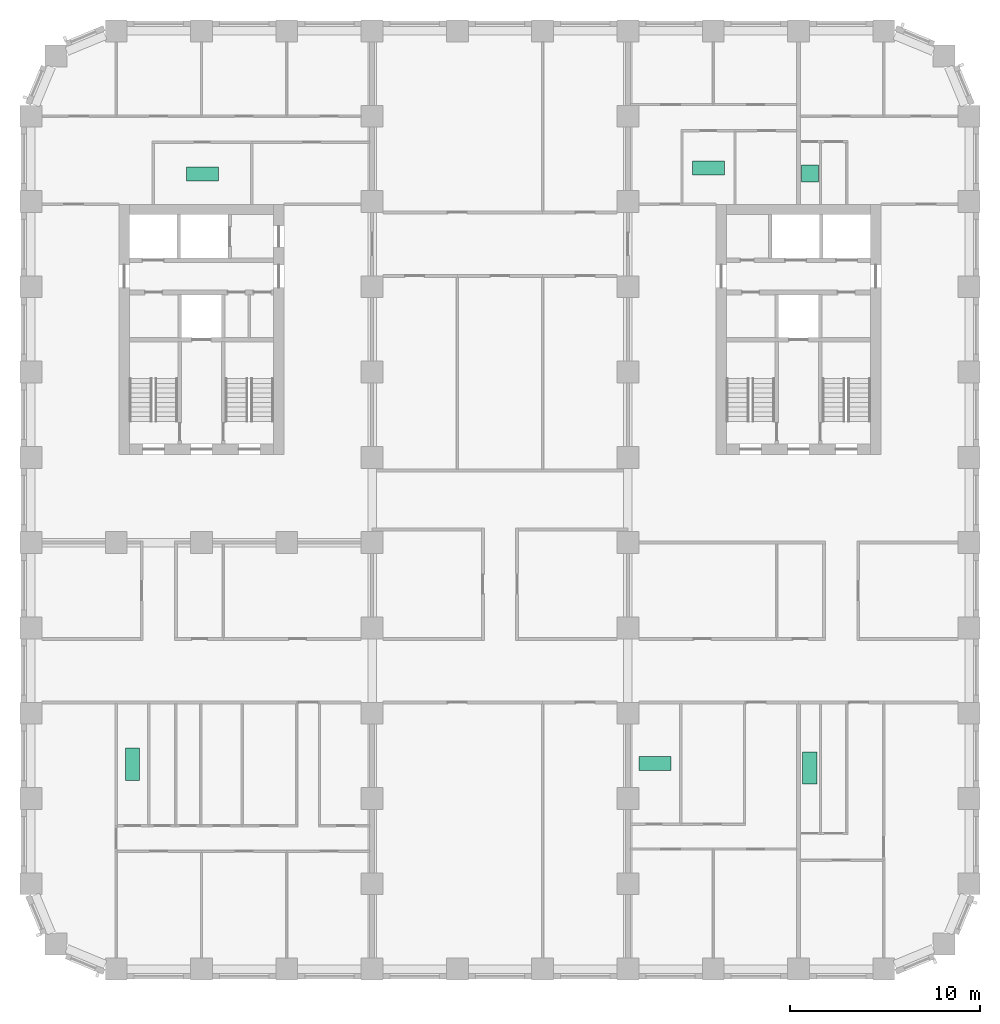
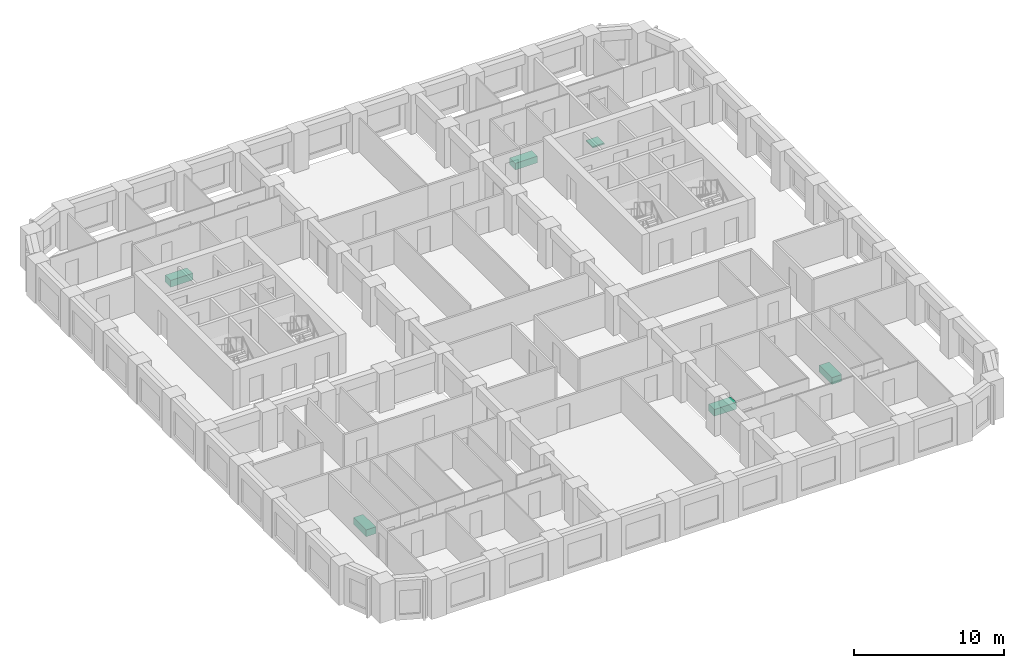
# One storey, part 13 of 13: 6 sanitary terminals.
"""IFC4 building model written with IfcOpenShell, lengths in metres."""

import ifcopenshell
import ifcopenshell.guid

model = None  # the IFC model being written
_history = None  # IfcOwnerHistory: only IFC2X3 demands one
_inside = {}  # id of a spatial element -> (the spatial element, [elements in it])
_under = {}  # id of a project, library or spatial element -> (it, [spatial elements below it])
_declared = {}  # id of a project -> (the project, [libraries it declares])
_typed = {}  # id of a type object -> (the type object, [elements of that type])
_made_of = {}  # id of a material, layer set ... -> (it, [elements and type objects made of it])


def new_model(schema):
    """Start an empty IFC model of exactly this schema.

    Asked for "IFC4X3", IfcOpenShell would pick the latest addendum, in which some entities
    have other attributes; the version numbers below select the first issue.
    IFC2X3 requires an IfcOwnerHistory on every rooted entity: one is made here for all.
    """
    global model, _history
    if schema == "IFC4X3":
        model = ifcopenshell.file(schema_version=(4, 3, 0, 0))
    else:
        model = ifcopenshell.file(schema=schema)
    _inside.clear()
    _under.clear()
    _declared.clear()
    _typed.clear()
    _made_of.clear()
    _history = None
    if model.schema == "IFC2X3":
        org = make("IfcOrganization", Name="unknown")
        user = make(
            "IfcPersonAndOrganization",
            ThePerson=make("IfcPerson", FamilyName="unknown"),
            TheOrganization=org,
        )
        app = make(
            "IfcApplication",
            ApplicationDeveloper=org,
            Version="unknown",
            ApplicationFullName="unknown",
            ApplicationIdentifier="unknown",
        )
        _history = make(
            "IfcOwnerHistory",
            OwningUser=user,
            OwningApplication=app,
            ChangeAction="ADDED",
            CreationDate=0,
        )
    return model


def make(cls, **values):
    """One entity of the class cls with the attributes given. An attribute that is None is left unset."""
    return model.create_entity(
        cls, **{name: value for name, value in values.items() if value is not None}
    )


def rooted(cls, **values):
    """An entity with a GlobalId (a new one), such as an element, a storey or a relation."""
    return make(cls, GlobalId=ifcopenshell.guid.new(), OwnerHistory=_history, **values)


def si_unit(unit_type, name, prefix=None):
    """IfcSIUnit, for example si_unit("LENGTHUNIT", "METRE", prefix="MILLI")."""
    return make("IfcSIUnit", UnitType=unit_type, Prefix=prefix, Name=name)


def assignment(units):
    """IfcUnitAssignment: the units of a project."""
    return None if units is None else make("IfcUnitAssignment", Units=units)


def point(xyz):
    """IfcCartesianPoint."""
    return None if xyz is None else make("IfcCartesianPoint", Coordinates=xyz)


def direction(xyz):
    """IfcDirection."""
    return None if xyz is None else make("IfcDirection", DirectionRatios=xyz)


def frame(location, z_axis=None, x_axis=None):
    """IfcAxis2Placement3D, a coordinate frame: its origin and axes. An axis left out is left unset."""
    return make(
        "IfcAxis2Placement3D",
        Location=point(location),
        Axis=direction(z_axis),
        RefDirection=direction(x_axis),
    )


def frame_2d(location, x_axis=None):
    """IfcAxis2Placement2D, a coordinate frame in the plane: its origin and x axis."""
    return make(
        "IfcAxis2Placement2D", Location=point(location), RefDirection=direction(x_axis)
    )


def origin():
    """The frame at (0, 0, 0) with its axes left unset."""
    return frame((0.0, 0.0, 0.0))


def origin_2d():
    """The frame at (0, 0) in the plane with its x axis left unset."""
    return frame_2d((0.0, 0.0))


def place(relative_to, where):
    """IfcLocalPlacement: puts the frame where relative to a parent placement (None: the world)."""
    return make(
        "IfcLocalPlacement", PlacementRelTo=relative_to, RelativePlacement=where
    )


def context(
    kind, dimensions, precision=None, world=None, true_north=None, identifier=None
):
    """IfcGeometricRepresentationContext, for example the 3D "Model" context."""
    return make(
        "IfcGeometricRepresentationContext",
        ContextIdentifier=identifier,
        ContextType=kind,
        CoordinateSpaceDimension=dimensions,
        Precision=precision,
        WorldCoordinateSystem=world,
        TrueNorth=true_north,
    )


def subcontext(parent, identifier, kind, view, scale=None):
    """IfcGeometricRepresentationSubContext, for example "Body" below "Model"."""
    return make(
        "IfcGeometricRepresentationSubContext",
        ContextIdentifier=identifier,
        ContextType=kind,
        ParentContext=parent,
        TargetScale=scale,
        TargetView=view,
    )


def project(units=None, contexts=None):
    """IfcProject with its units and contexts."""
    return rooted(
        "IfcProject",
        Name="project",
        RepresentationContexts=contexts,
        UnitsInContext=assignment(units),
    )


def spatial(cls, under=None, at=None, **own):
    """A site, building, storey or space (cls), placed at a placement, below another one or the project."""
    s = rooted(cls, ObjectPlacement=at, **own)
    if under is not None:
        _under.setdefault(under.id(), (under, []))[1].append(s)
    return s


def profile(cls, at=None, kind="AREA", **sizes):
    """A parametric profile (cls). Its sizes go by their IFC names, for example OverallWidth=200.0."""
    return make(cls, ProfileType=kind, Position=at, **sizes)


def rectangle(**sizes):
    """IfcRectangleProfileDef."""
    return profile("IfcRectangleProfileDef", **sizes)


def extrude(swept, where, along, depth):
    """IfcExtrudedAreaSolid: the profile swept, set in the frame where, extruded along a direction by depth."""
    return make(
        "IfcExtrudedAreaSolid",
        SweptArea=swept,
        Position=where,
        ExtrudedDirection=direction(along),
        Depth=depth,
    )


def shape(context_of_items, identifier, shape_type, items):
    """IfcShapeRepresentation: the items that make up one representation, for example the "Body"."""
    return make(
        "IfcShapeRepresentation",
        ContextOfItems=context_of_items,
        RepresentationIdentifier=identifier,
        RepresentationType=shape_type,
        Items=items,
    )


def material(Name=None, Category=None):
    """IfcMaterial."""
    return make("IfcMaterial", Name=Name, Category=Category)


def made_of(thing, what):
    """Note that an element or type object is made of a material, layer set ...; save() writes the relation."""
    if what is not None:
        _made_of.setdefault(what.id(), (what, []))[1].append(thing)
    return thing


def type_object(cls, material=None, **own):
    """A type object (cls), such as IfcWallType, which elements share."""
    return made_of(rooted(cls, **own), material)


def element(
    cls,
    number,
    at=None,
    inside=None,
    cuts=None,
    type_object=None,
    material=None,
    context=None,
    identifier="Body",
    shape_type=None,
    held_by="IfcProductDefinitionShape",
    body=None,
    shapes=None,
    **own,
):
    """One element of the class cls, such as IfcWall. Its Tag is "e" and its number.

    at: its placement. inside: the storey or other place that contains it. cuts: it is an
    opening in that element (IfcRelVoidsElement). A single representation is given by context,
    identifier, shape_type and body (its items); several are given by shapes. held_by: the class
    of the entity that holds the representations. save() writes the other relations.
    """
    e = rooted(cls, Tag="e%d" % number, ObjectPlacement=at, **own)
    if body is not None:
        shapes = [shape(context, identifier, shape_type, body)]
    if shapes is not None:
        e.Representation = make(held_by, Representations=shapes)
    if inside is not None:
        _inside.setdefault(inside.id(), (inside, []))[1].append(e)
    if cuts is not None:
        rooted(
            "IfcRelVoidsElement", RelatingBuildingElement=cuts, RelatedOpeningElement=e
        )
    if type_object is not None:
        _typed.setdefault(type_object.id(), (type_object, []))[1].append(e)
    return made_of(e, material)


def aggregate(whole, parts):
    """IfcRelAggregates: a whole, such as a stair, and the parts it consists of."""
    return rooted("IfcRelAggregates", RelatingObject=whole, RelatedObjects=parts)


def save(model, path):
    """Write the relations noted so far, then the file.

    IfcRelAggregates (storeys below a building ...), IfcRelContainedInSpatialStructure (elements
    in a storey), IfcRelDefinesByType, IfcRelAssociatesMaterial and IfcRelDeclares: one each for
    every whole, place, type object, material and project.
    """
    for whole, parts in _under.values():
        aggregate(whole, parts)
    for where, things in _inside.values():
        rooted(
            "IfcRelContainedInSpatialStructure",
            RelatedElements=things,
            RelatingStructure=where,
        )
    for kind, things in _typed.values():
        rooted("IfcRelDefinesByType", RelatedObjects=things, RelatingType=kind)
    for what, things in _made_of.values():
        rooted("IfcRelAssociatesMaterial", RelatedObjects=things, RelatingMaterial=what)
    for by, libraries in _declared.values():
        rooted("IfcRelDeclares", RelatingContext=by, RelatedDefinitions=libraries)
    model.write(path)


model = new_model("IFC4")

# Units and contexts
model_context = context("Model", 3, precision=1e-05, world=origin(), true_north=direction((0.0, 1.0)))
body_context = subcontext(model_context, "Body", "Model", "MODEL_VIEW")
ifc_project = project(units=[si_unit("LENGTHUNIT", "METRE"), si_unit("AREAUNIT", "SQUARE_METRE"), si_unit("VOLUMEUNIT", "CUBIC_METRE"), si_unit("PLANEANGLEUNIT", "RADIAN"), si_unit("MASSUNIT", "GRAM", prefix="KILO")], contexts=[model_context])

# Site, building, storey
site_placement = place(None, origin())
site = spatial("IfcSite", under=ifc_project, at=site_placement, CompositionType="ELEMENT")
building_placement = place(site_placement, origin())
building = spatial("IfcBuilding", under=site, at=building_placement, Name="Girih Gate Residences", CompositionType="ELEMENT")
storey_placement = place(building_placement, frame((0.0, 0.0, 102.39990234375)))
storey = spatial("IfcBuildingStorey", under=building, at=storey_placement, Name="L28", CompositionType="ELEMENT", Elevation=102.39990234375)

# Sanitary terminals
ifc_material = material(Name="Acrylic")
sanitary_terminal_type_1 = type_object("IfcSanitaryTerminalType", Name="Bath 1700", PredefinedType="BATH", material=ifc_material)
sanitary_terminal_1_placement = place(storey_placement, frame((5.35791015625, 10.80908203125, 0.0), z_axis=(0.0, 0.0, 1.0), x_axis=(1.0, 0.0, 0.0)))
element("IfcSanitaryTerminal", 1, at=sanitary_terminal_1_placement, inside=storey, type_object=sanitary_terminal_type_1, Name="Bath 1700 L28", PredefinedType="BATH", context=body_context, shape_type="SweptSolid", body=[
    extrude(rectangle(XDim=0.75, YDim=1.699951171875, at=origin_2d()), origin(), (0.0, 0.0, 1.0), 0.550048828125),
])
sanitary_terminal_2_placement = place(storey_placement, frame((9.047119140625, 41.9541015625, 0.0), z_axis=(0.0, 0.0, 1.0), x_axis=(1.0, 0.0, 0.0)))
element("IfcSanitaryTerminal", 2, at=sanitary_terminal_2_placement, inside=storey, type_object=sanitary_terminal_type_1, Name="Bath 1700 L28", PredefinedType="BATH", context=body_context, shape_type="SweptSolid", body=[
    extrude(rectangle(XDim=1.699951171875, YDim=0.75, at=origin_2d()), origin(), (0.0, 0.0, 1.0), 0.550048828125),
])
sanitary_terminal_3_placement = place(storey_placement, frame((41.097900390625, 10.60888671875, 0.0), z_axis=(0.0, 0.0, 1.0), x_axis=(1.0, 0.0, 0.0)))
element("IfcSanitaryTerminal", 3, at=sanitary_terminal_3_placement, inside=storey, type_object=sanitary_terminal_type_1, Name="Bath 1700 L28", PredefinedType="BATH", context=body_context, shape_type="SweptSolid", body=[
    extrude(rectangle(XDim=0.75, YDim=1.699951171875, at=origin_2d()), origin(), (0.0, 0.0, 1.0), 0.550048828125),
])
for number, where, z_axis, x_axis, name in (
    (4, (32.925048828125, 10.84912109375, 0.0), (0.0, 0.0, 1.0), (1.0, 0.0, 0.0), "Bath 1700 L28"),
    (5, (35.75, 42.260986328125, 0.0), (0.0, 0.0, 1.0), (1.0, 0.0, 0.0), "Bath 1700 L28"),
):
    element("IfcSanitaryTerminal", number, at=place(storey_placement, frame(where, z_axis=z_axis, x_axis=x_axis)), inside=storey, type_object=sanitary_terminal_type_1, Name=name, PredefinedType="BATH", context=body_context, shape_type="SweptSolid", body=[
        extrude(rectangle(XDim=1.699951171875, YDim=0.75, at=origin_2d()), origin(), (0.0, 0.0, 1.0), 0.550048828125),
    ])
sanitary_terminal_type_2 = type_object("IfcSanitaryTerminalType", Name="Shower tray 900", PredefinedType="SHOWER", material=ifc_material)
sanitary_terminal_4_placement = place(storey_placement, frame((41.097900390625, 41.97412109375, 0.0), z_axis=(0.0, 0.0, 1.0), x_axis=(1.0, 0.0, 0.0)))
element("IfcSanitaryTerminal", 6, at=sanitary_terminal_4_placement, inside=storey, type_object=sanitary_terminal_type_2, Name="Shower tray 900 L28", PredefinedType="SHOWER", context=body_context, shape_type="SweptSolid", body=[
    extrude(rectangle(XDim=0.89990234375, YDim=0.89990234375, at=origin_2d()), origin(), (0.0, 0.0, 1.0), 0.10009765625),
])

save(model, "model.ifc")
